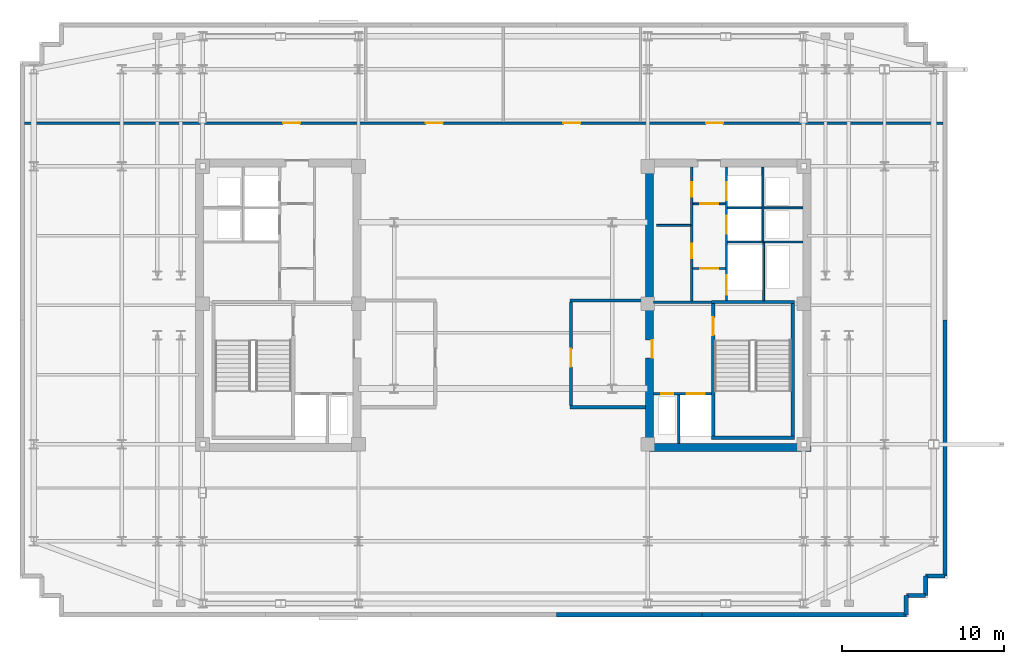
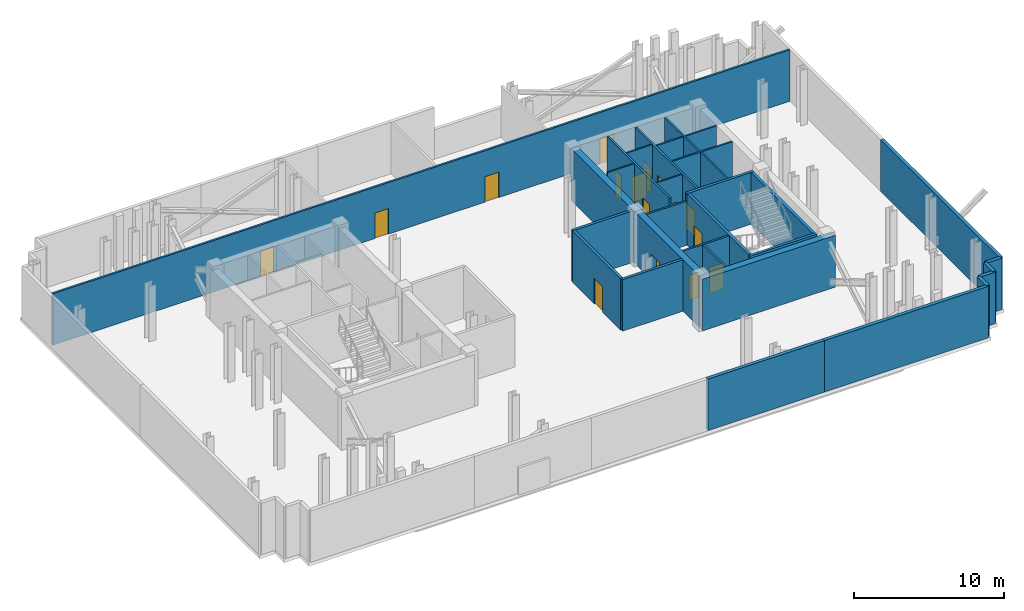
# One storey, part 5 of 8: 30 walls, 16 doors, 16 openings.
"""IFC4 building model written with IfcOpenShell, lengths in metres."""

from ifc_helpers import new_model, si_unit, direction, frame, frame_2d, origin, place, context, subcontext, project, spatial, rectangle, extrude, material, layer, layer_set, type_object, element, fill, save


model = new_model("IFC4")

# Units and contexts
model_context = context("Model", 3, precision=1e-05, world=origin(), true_north=direction((0.0, 1.0)))
body_context = subcontext(model_context, "Body", "Model", "MODEL_VIEW")
ifc_project = project(units=[si_unit("LENGTHUNIT", "METRE"), si_unit("AREAUNIT", "SQUARE_METRE"), si_unit("VOLUMEUNIT", "CUBIC_METRE"), si_unit("PLANEANGLEUNIT", "RADIAN"), si_unit("MASSUNIT", "GRAM", prefix="KILO")], contexts=[model_context])

# Site, building, storey
site_placement = place(None, origin())
site = spatial("IfcSite", under=ifc_project, at=site_placement, CompositionType="ELEMENT")
building_placement = place(site_placement, origin())
building = spatial("IfcBuilding", under=site, at=building_placement, Name="Velakula Bourse", CompositionType="ELEMENT")
storey_placement = place(building_placement, frame((0.0, 0.0, 243.0)))
storey = spatial("IfcBuildingStorey", under=building, at=storey_placement, Name="L66", CompositionType="ELEMENT", Elevation=243.0)

# Wall, opening, door
ifc_material_1 = material(Name="Concrete M50 (fck 50 MPa)", Category="concrete")
ifc_layer_1 = layer(ifc_material_1, 0.2099609375, Name="Concrete M50 (fck 50 MPa)", Category="concrete")
ifc_layer_set_1 = layer_set([ifc_layer_1], Name="Concrete M50 (fck 50 MPa)")
wall_type_1 = type_object("IfcWallType", Name="WL-CORE-210", PredefinedType="SHEAR", material=ifc_layer_set_1)
wall_1_placement = place(storey_placement, frame((12.9951171875, -8.10009765625, 0.0), z_axis=(0.0, 0.0, 1.0), x_axis=(0.0, 1.0, 0.0)))
wall_1 = element("IfcWall", 1, at=wall_1_placement, inside=storey, type_object=wall_type_1, Name="L66 Core E Stairwell Shear Wall IN", PredefinedType="SHEAR", context=body_context, shape_type="SweptSolid", body=[
    extrude(rectangle(XDim=8.2001953125, YDim=0.2099609375, at=frame_2d((4.10009765625, 0.0))), origin(), (0.0, 0.0, 1.0), 4.219970703125),
])
opening_1_placement = place(wall_1_placement, frame((6.25, 0.0, 0.0)))
opening_1 = element("IfcOpeningElement", 2, at=opening_1_placement, cuts=wall_1, Name="Opening D-STE1", PredefinedType="OPENING", context=body_context, shape_type="SweptSolid", body=[
    extrude(rectangle(XDim=1.10009765625, YDim=2.14990234375, at=frame_2d((0.550048828125, 1.074951171875))), frame((0.0, 0.114990234375, 0.0), z_axis=(0.0, -1.0, 0.0), x_axis=(1.0, 0.0, 0.0)), (0.0, 0.0, 1.0), 0.22998046875),
])
ifc_material_2 = material(Name="Galvanised painted hollow steel fire door", Category="steel")
door_type_1 = type_object("IfcDoorType", Name="DR-FD120-1100x2150", OperationType="NOTDEFINED", PredefinedType="DOOR", material=ifc_material_2)
door_1_placement = place(opening_1_placement, origin())
door_1 = element("IfcDoor", 3, at=door_1_placement, inside=storey, type_object=door_type_1, Name="L66 Stair ST-E1 Fire Door", OperationType="SINGLE_SWING_RIGHT", OverallHeight=2.14990234375, OverallWidth=1.10009765625, PredefinedType="DOOR", context=body_context, shape_type="SweptSolid", body=[
    extrude(rectangle(XDim=1.10009765625, YDim=2.14990234375, at=frame_2d((0.550048828125, 1.074951171875))), frame((0.0, 0.02490234375, 0.0), z_axis=(0.0, -1.0, 0.0), x_axis=(1.0, 0.0, 0.0)), (0.0, 0.0, 1.0), 0.050048828125),
])
fill(opening_1, door_1)

# Walls
wall_2_placement = place(storey_placement, frame((17.925048828125, -8.10009765625, 0.0), z_axis=(0.0, 0.0, 1.0), x_axis=(0.0, 1.0, 0.0)))
element("IfcWall", 4, at=wall_2_placement, inside=storey, type_object=wall_type_1, Name="L66 Core E Stairwell Shear Wall OUT", PredefinedType="SHEAR", context=body_context, shape_type="SweptSolid", body=[
    extrude(rectangle(XDim=8.2001953125, YDim=0.2099609375, at=frame_2d((4.10009765625, 0.0))), origin(), (0.0, 0.0, 1.0), 4.219970703125),
])
for number, where, z_axis, x_axis, name in (
    (5, (12.889892578125, -8.205078125, 0.0), (0.0, 0.0, 1.0), (1.0, 0.0, 0.0), "L66 Core E Stairwell Shear Wall S"),
    (6, (18.030029296875, 0.205078125, 0.0), (0.0, 0.0, 1.0), (-1.0, 0.0, 0.0), "L66 Core E Stairwell Shear Wall N"),
):
    element("IfcWall", number, at=place(storey_placement, frame(where, z_axis=z_axis, x_axis=x_axis)), inside=storey, type_object=wall_type_1, Name=name, PredefinedType="SHEAR", context=body_context, shape_type="SweptSolid", body=[
        extrude(rectangle(XDim=5.14013671875, YDim=0.2099609375, at=frame_2d((2.570068359375, 0.0))), origin(), (0.0, 0.0, 1.0), 4.219970703125),
    ])
ifc_layer_2 = layer(ifc_material_1, 0.5, Name="Concrete M50 (fck 50 MPa)", Category="concrete")
ifc_layer_set_2 = layer_set([ifc_layer_2], Name="Concrete M50 (fck 50 MPa)")
wall_type_2 = type_object("IfcWallType", Name="WL-CORE-500", PredefinedType="SHEAR", material=ifc_layer_set_2)
wall_3_placement = place(storey_placement, frame((8.800048828125, -8.800048828125, 0.0), z_axis=(0.0, 0.0, 1.0), x_axis=(1.0, 0.0, 0.0)))
element("IfcWall", 7, at=wall_3_placement, inside=storey, type_object=wall_type_2, Name="L66 Core E Shear Wall S", PredefinedType="SHEAR", context=body_context, shape_type="SweptSolid", body=[
    extrude(rectangle(XDim=10.25, YDim=0.5, at=frame_2d((5.125, 0.0))), origin(), (0.0, 0.0, 1.0), 4.219970703125),
])

# Wall, opening, door
wall_4_placement = place(storey_placement, frame((9.050048828125, -8.550048828125, 0.0), z_axis=(0.0, 0.0, 1.0), x_axis=(0.0, 1.0, 0.0)))
wall_4 = element("IfcWall", 8, at=wall_4_placement, inside=storey, type_object=wall_type_2, Name="L66 Core E Shear Wall W", PredefinedType="SHEAR", context=body_context, shape_type="SweptSolid", body=[
    extrude(rectangle(XDim=17.10009765625, YDim=0.5, at=frame_2d((8.550048828125, 0.0))), origin(), (0.0, 0.0, 1.0), 4.219970703125),
])
opening_2_placement = place(wall_4_placement, frame((5.300048828125, 0.0, 0.0)))
opening_2 = element("IfcOpeningElement", 9, at=opening_2_placement, cuts=wall_4, Name="Opening D-FLE", PredefinedType="OPENING", context=body_context, shape_type="SweptSolid", body=[
    extrude(rectangle(XDim=1.10009765625, YDim=2.080078125, at=frame_2d((0.550048828125, 1.0400390625))), frame((0.0, 0.260009765625, 0.0), z_axis=(0.0, -1.0, 0.0), x_axis=(1.0, 0.0, 0.0)), (0.0, 0.0, 1.0), 0.52001953125),
])
door_type_2 = type_object("IfcDoorType", Name="DR-FD120-1100", OperationType="NOTDEFINED", PredefinedType="DOOR", material=ifc_material_2)
door_2_placement = place(opening_2_placement, origin())
door_2 = element("IfcDoor", 10, at=door_2_placement, inside=storey, type_object=door_type_2, Name="L66 Firefighting Lobby E Corridor Fire Door", OperationType="SINGLE_SWING_RIGHT", OverallHeight=2.080078125, OverallWidth=1.10009765625, PredefinedType="DOOR", context=body_context, shape_type="SweptSolid", body=[
    extrude(rectangle(XDim=1.10009765625, YDim=2.080078125, at=frame_2d((0.550048828125, 1.0400390625))), frame((0.0, -0.15478515625, 0.0), z_axis=(0.0, -1.0, 0.0), x_axis=(1.0, 0.0, 0.0)), (0.0, 0.0, 1.0), 0.050048828125),
])
fill(opening_2, door_2)

# Walls
ifc_material_3 = material(Name="Buff kilned clay facing brick masonry", Category="masonry")
ifc_layer_3 = layer(ifc_material_3, 0.260009765625, Name="Buff kilned clay facing brick masonry", Category="masonry")
ifc_layer_set_3 = layer_set([ifc_layer_3], Name="Buff kilned clay facing brick masonry")
wall_type_3 = type_object("IfcWallType", Name="WL-EXT-BRK-260", PredefinedType="STANDARD", material=ifc_layer_set_3)
wall_5_placement = place(storey_placement, frame((12.300048828125, -19.14990234375, 0.0), z_axis=(0.0, 0.0, 1.0), x_axis=(-1.0, 0.0, 0.0)))
element("IfcWall", 11, at=wall_5_placement, inside=storey, type_object=wall_type_3, Name="L66 S Brick Spandrel Wall B4", PredefinedType="STANDARD", context=body_context, shape_type="SweptSolid", body=[
    extrude(rectangle(XDim=9.0, YDim=0.260009765625, at=frame_2d((4.5, 0.0))), origin(), (0.0, 0.0, 1.0), 4.199951171875),
])
wall_6_placement = place(storey_placement, frame((24.949951171875, -19.14990234375, 0.0), z_axis=(0.0, 0.0, 1.0), x_axis=(-1.0, 0.0, 0.0)))
element("IfcWall", 12, at=wall_6_placement, inside=storey, type_object=wall_type_3, Name="L66 S Brick Spandrel Wall B5", PredefinedType="STANDARD", context=body_context, shape_type="SweptSolid", body=[
    extrude(rectangle(XDim=12.64990234375, YDim=0.260009765625, at=frame_2d((6.324951171875, 0.0))), origin(), (0.0, 0.0, 1.0), 4.199951171875),
])
wall_7_placement = place(storey_placement, frame((27.35009765625, -0.89990234375, 0.0), z_axis=(0.0, 0.0, 1.0), x_axis=(0.0, -1.0, 0.0)))
element("IfcWall", 13, at=wall_7_placement, inside=storey, type_object=wall_type_3, Name="L66 E Brick End Wall W1", PredefinedType="STANDARD", context=body_context, shape_type="SweptSolid", body=[
    extrude(rectangle(XDim=15.85009765625, YDim=0.260009765625, at=frame_2d((7.925048828125, 0.0))), origin(), (0.0, 0.0, 1.0), 4.199951171875),
])
for number, where, z_axis, x_axis, name in (
    (14, (24.949951171875, -19.14990234375, 0.0), (0.0, 0.0, 1.0), (0.0, 1.0, 0.0), "L66 Serrated Corner Brick Wall SE-1"),
    (15, (24.949951171875, -17.949951171875, 0.0), (0.0, 0.0, 1.0), (1.0, 0.0, 0.0), "L66 Serrated Corner Brick Wall SE-2"),
    (16, (26.14990234375, -17.949951171875, 0.0), (0.0, 0.0, 1.0), (0.0, 1.0, 0.0), "L66 Serrated Corner Brick Wall SE-3"),
):
    element("IfcWall", number, at=place(storey_placement, frame(where, z_axis=z_axis, x_axis=x_axis)), inside=storey, type_object=wall_type_3, Name=name, PredefinedType="STANDARD", context=body_context, shape_type="SweptSolid", body=[
        extrude(rectangle(XDim=1.199951171875, YDim=0.260009765625, at=frame_2d((0.60009765625, 0.0))), origin(), (0.0, 0.0, 1.0), 4.199951171875),
    ])
wall_8_placement = place(storey_placement, frame((26.14990234375, -16.75, 0.0), z_axis=(0.0, 0.0, 1.0), x_axis=(1.0, 0.0, 0.0)))
element("IfcWall", 17, at=wall_8_placement, inside=storey, type_object=wall_type_3, Name="L66 Serrated Corner Brick Wall SE-4", PredefinedType="STANDARD", context=body_context, shape_type="SweptSolid", body=[
    extrude(rectangle(XDim=1.2001953125, YDim=0.260009765625, at=frame_2d((0.60009765625, 0.0))), origin(), (0.0, 0.0, 1.0), 4.199951171875),
])

# Wall, opening, door
ifc_material_4 = material(Name="Fire-rated double-layer gypsum drywall partition", Category="gypsum")
ifc_layer_4 = layer(ifc_material_4, 0.1201171875, Name="Fire-rated double-layer gypsum drywall partition", Category="gypsum")
ifc_layer_set_4 = layer_set([ifc_layer_4], Name="Fire-rated double-layer gypsum drywall partition")
wall_type_4 = type_object("IfcWallType", Name="WL-PART-120", PredefinedType="STANDARD", material=ifc_layer_set_4)
wall_9_placement = place(storey_placement, frame((11.75, 2.280029296875, 0.0), z_axis=(0.0, 0.0, 1.0), x_axis=(1.0, 0.0, 0.0)))
wall_9 = element("IfcWall", 18, at=wall_9_placement, inside=storey, type_object=wall_type_4, Name="L66 Interior Partition WL-CRE-L66-LL-K3A", PredefinedType="STANDARD", context=body_context, shape_type="SweptSolid", body=[
    extrude(rectangle(XDim=2.0, YDim=0.1201171875, at=frame_2d((1.0, 0.0))), origin(), (0.0, 0.0, 1.0), 4.199951171875),
])
opening_3_placement = place(wall_9_placement, frame((0.449951171875, 0.0, 0.0)))
opening_3 = element("IfcOpeningElement", 19, at=opening_3_placement, cuts=wall_9, Name="Opening D-LK3", PredefinedType="OPENING", context=body_context, shape_type="SweptSolid", body=[
    extrude(rectangle(XDim=1.10009765625, YDim=2.10009765625, at=frame_2d((0.550048828125, 1.050048828125))), frame((0.0, 0.070068359375, 0.0), z_axis=(0.0, -1.0, 0.0), x_axis=(1.0, 0.0, 0.0)), (0.0, 0.0, 1.0), 0.14013671875),
])
ifc_material_5 = material(Name="Fire-rated hardwood flush architectural door", Category="wood")
door_type_3 = type_object("IfcDoorType", Name="DR-FD60-1100x2100", OperationType="NOTDEFINED", PredefinedType="DOOR", material=ifc_material_5)
door_3_placement = place(opening_3_placement, origin())
door_3 = element("IfcDoor", 20, at=door_3_placement, inside=storey, type_object=door_type_3, Name="L66 Core E Lift Lobby Vestibule Door A", OperationType="SINGLE_SWING_RIGHT", OverallHeight=2.10009765625, OverallWidth=1.10009765625, PredefinedType="DOOR", context=body_context, shape_type="SweptSolid", body=[
    extrude(rectangle(XDim=1.10009765625, YDim=2.10009765625, at=frame_2d((0.550048828125, 1.050048828125))), frame((0.0, 0.02490234375, 0.0), z_axis=(0.0, -1.0, 0.0), x_axis=(1.0, 0.0, 0.0)), (0.0, 0.0, 1.0), 0.050048828125),
])
fill(opening_3, door_3)

wall_10_placement = place(storey_placement, frame((11.75, 6.280029296875, 0.0), z_axis=(0.0, 0.0, 1.0), x_axis=(1.0, 0.0, 0.0)))
wall_10 = element("IfcWall", 21, at=wall_10_placement, inside=storey, type_object=wall_type_4, Name="L66 Interior Partition WL-CRE-L66-LL-K3B", PredefinedType="STANDARD", context=body_context, shape_type="SweptSolid", body=[
    extrude(rectangle(XDim=2.0, YDim=0.1201171875, at=frame_2d((1.0, 0.0))), origin(), (0.0, 0.0, 1.0), 4.199951171875),
])
opening_4_placement = place(wall_10_placement, frame((0.449951171875, 0.0, 0.0)))
opening_4 = element("IfcOpeningElement", 22, at=opening_4_placement, cuts=wall_10, Name="Opening D-LK3", PredefinedType="OPENING", context=body_context, shape_type="SweptSolid", body=[
    extrude(rectangle(XDim=1.10009765625, YDim=2.10009765625, at=frame_2d((0.550048828125, 1.050048828125))), frame((0.0, 0.070068359375, 0.0), z_axis=(0.0, -1.0, 0.0), x_axis=(1.0, 0.0, 0.0)), (0.0, 0.0, 1.0), 0.14013671875),
])
door_4_placement = place(opening_4_placement, origin())
door_4 = element("IfcDoor", 23, at=door_4_placement, inside=storey, type_object=door_type_3, Name="L66 Core E Lift Lobby Vestibule Door B", OperationType="SINGLE_SWING_RIGHT", OverallHeight=2.10009765625, OverallWidth=1.10009765625, PredefinedType="DOOR", context=body_context, shape_type="SweptSolid", body=[
    extrude(rectangle(XDim=1.10009765625, YDim=2.10009765625, at=frame_2d((0.550048828125, 1.050048828125))), frame((0.0, 0.02490234375, 0.0), z_axis=(0.0, -1.0, 0.0), x_axis=(1.0, 0.0, 0.0)), (0.0, 0.0, 1.0), 0.050048828125),
])
fill(opening_4, door_4)

# Walls
wall_11_placement = place(storey_placement, frame((9.5, 4.949951171875, 0.0), z_axis=(0.0, 0.0, 1.0), x_axis=(1.0, 0.0, 0.0)))
element("IfcWall", 24, at=wall_11_placement, inside=storey, type_object=wall_type_4, Name="L66 Interior Partition WL-CRE-L66-RCDIV", PredefinedType="STANDARD", context=body_context, shape_type="SweptSolid", body=[
    extrude(rectangle(XDim=2.10009765625, YDim=0.1201171875, at=frame_2d((1.050048828125, 0.0))), origin(), (0.0, 0.0, 1.0), 4.199951171875),
])
wall_12_placement = place(storey_placement, frame((13.89990234375, 3.919921875, 0.0), z_axis=(0.0, 0.0, 1.0), x_axis=(1.0, 0.0, 0.0)))
element("IfcWall", 25, at=wall_12_placement, inside=storey, type_object=wall_type_4, Name="L66 Interior Partition WL-CRE-L66-HI-S", PredefinedType="STANDARD", context=body_context, shape_type="SweptSolid", body=[
    extrude(rectangle(XDim=4.650146484375, YDim=0.1201171875, at=frame_2d((2.3251953125, 0.0))), origin(), (0.0, 0.0, 1.0), 4.199951171875),
])
wall_13_placement = place(storey_placement, frame((16.14990234375, 6.030029296875, 0.0), z_axis=(0.0, 0.0, 1.0), x_axis=(1.0, 0.0, 0.0)))
element("IfcWall", 26, at=wall_13_placement, inside=storey, type_object=wall_type_4, Name="L66 Interior Partition WL-CRE-L66-RIS-MID", PredefinedType="STANDARD", context=body_context, shape_type="SweptSolid", body=[
    extrude(rectangle(XDim=2.400146484375, YDim=0.1201171875, at=frame_2d((1.2001953125, 0.0))), origin(), (0.0, 0.0, 1.0), 4.199951171875),
])
wall_14_placement = place(storey_placement, frame((16.074951171875, 3.97998046875, 0.0), z_axis=(0.0, 0.0, 1.0), x_axis=(0.0, 1.0, 0.0)))
element("IfcWall", 27, at=wall_14_placement, inside=storey, type_object=wall_type_4, Name="L66 Interior Partition WL-CRE-L66-RIS-F", PredefinedType="STANDARD", context=body_context, shape_type="SweptSolid", body=[
    extrude(rectangle(XDim=4.570068359375, YDim=0.1201171875, at=frame_2d((2.28515625, 0.0))), origin(), (0.0, 0.0, 1.0), 4.199951171875),
])
wall_15_placement = place(storey_placement, frame((13.89990234375, 6.030029296875, 0.0), z_axis=(0.0, 0.0, 1.0), x_axis=(1.0, 0.0, 0.0)))
element("IfcWall", 28, at=wall_15_placement, inside=storey, type_object=wall_type_4, Name="L66 Interior Partition WL-CRE-L66-HI-DIV", PredefinedType="STANDARD", context=body_context, shape_type="SweptSolid", body=[
    extrude(rectangle(XDim=2.10009765625, YDim=0.1201171875, at=frame_2d((1.050048828125, 0.0))), origin(), (0.0, 0.0, 1.0), 4.199951171875),
])
wall_16_placement = place(storey_placement, frame((16.125, 0.27001953125, 0.0), z_axis=(0.0, 0.0, 1.0), x_axis=(0.0, 1.0, 0.0)))
element("IfcWall", 29, at=wall_16_placement, inside=storey, type_object=wall_type_4, Name="L66 Interior Partition WL-CRE-L66-SVL-E", PredefinedType="STANDARD", context=body_context, shape_type="SweptSolid", body=[
    extrude(rectangle(XDim=3.590087890625, YDim=0.1201171875, at=frame_2d((1.794921875, 0.0))), origin(), (0.0, 0.0, 1.0), 4.199951171875),
])

# Wall, openings, doors
ifc_material_6 = material(Name="Autoclaved aerated concrete blockwork masonry", Category="masonry")
ifc_layer_5 = layer(ifc_material_6, 0.14990234375, Name="Autoclaved aerated concrete blockwork masonry", Category="masonry")
ifc_layer_set_5 = layer_set([ifc_layer_5], Name="Autoclaved aerated concrete blockwork masonry")
wall_type_5 = type_object("IfcWallType", Name="WL-SHAFT-150", PredefinedType="STANDARD", material=ifc_layer_set_5)
wall_17_placement = place(storey_placement, frame((9.300048828125, -5.47509765625, 0.0), z_axis=(0.0, 0.0, 1.0), x_axis=(1.0, 0.0, 0.0)))
wall_17 = element("IfcWall", 30, at=wall_17_placement, inside=storey, type_object=wall_type_5, Name="L66 Interior Partition WL-CRE-L66-FFL-N", PredefinedType="STANDARD", context=body_context, shape_type="SweptSolid", body=[
    extrude(rectangle(XDim=3.594970703125, YDim=0.14990234375, at=frame_2d((1.79736328125, 0.0))), origin(), (0.0, 0.0, 1.0), 4.199951171875),
])
opening_5_placement = place(wall_17_placement, frame((2.074951171875, 0.0, 0.0)))
opening_5 = element("IfcOpeningElement", 31, at=opening_5_placement, cuts=wall_17, Name="Opening LD-FFL-2", PredefinedType="OPENING", context=body_context, shape_type="SweptSolid", body=[
    extrude(rectangle(XDim=1.10009765625, YDim=2.14990234375, at=frame_2d((0.550048828125, 1.074951171875))), frame((0.0, 0.0849609375, 0.0), z_axis=(0.0, -1.0, 0.0), x_axis=(1.0, 0.0, 0.0)), (0.0, 0.0, 1.0), 0.169921875),
])
opening_6_placement = place(wall_17_placement, frame((0.47509765625, 0.0, 0.0)))
opening_6 = element("IfcOpeningElement", 32, at=opening_6_placement, cuts=wall_17, Name="Opening D-RS1", PredefinedType="OPENING", context=body_context, shape_type="SweptSolid", body=[
    extrude(rectangle(XDim=0.75, YDim=2.050048828125, at=frame_2d((0.375, 1.02490234375))), frame((0.0, 0.0849609375, 0.0), z_axis=(0.0, -1.0, 0.0), x_axis=(1.0, 0.0, 0.0)), (0.0, 0.0, 1.0), 0.169921875),
])
door_type_4 = type_object("IfcDoorType", Name="DR-RISER-800", OperationType="NOTDEFINED", PredefinedType="DOOR", material=ifc_material_2)
door_5_placement = place(opening_6_placement, origin())
door_5 = element("IfcDoor", 33, at=door_5_placement, inside=storey, type_object=door_type_4, Name="L66 Fire Riser Access Door", OperationType="SINGLE_SWING_LEFT", OverallHeight=2.050048828125, OverallWidth=0.75, PredefinedType="DOOR", context=body_context, shape_type="SweptSolid", body=[
    extrude(rectangle(XDim=0.75, YDim=2.050048828125, at=frame_2d((0.375, 1.02490234375))), frame((0.0, 0.02490234375, 0.0), z_axis=(0.0, -1.0, 0.0), x_axis=(1.0, 0.0, 0.0)), (0.0, 0.0, 1.0), 0.050048828125),
])
fill(opening_6, door_5)
ifc_material_7 = material(Name="Brushed grade 316 stainless steel", Category="steel")
door_type_5 = type_object("IfcDoorType", Name="DR-SLIDE-FFL-1100", OperationType="DOUBLE_DOOR_SLIDING", PredefinedType="DOOR", material=ifc_material_7)
door_6_placement = place(opening_5_placement, origin())
door_6 = element("IfcDoor", 34, at=door_6_placement, inside=storey, type_object=door_type_5, Name="L66 Firefighting Lift FFL-2 Sliding Landing Door", OperationType="DOUBLE_DOOR_SLIDING", OverallHeight=2.14990234375, OverallWidth=1.10009765625, PredefinedType="DOOR", context=body_context, shape_type="SweptSolid", body=[
    extrude(rectangle(XDim=1.10009765625, YDim=2.14990234375, at=frame_2d((0.550048828125, 1.074951171875))), frame((0.0, 0.02490234375, 0.0), z_axis=(0.0, -1.0, 0.0), x_axis=(1.0, 0.0, 0.0)), (0.0, 0.0, 1.0), 0.050048828125),
])
fill(opening_5, door_6)

# Walls
wall_18_placement = place(storey_placement, frame((10.875, -8.550048828125, 0.0), z_axis=(0.0, 0.0, 1.0), x_axis=(0.0, 1.0, 0.0)))
element("IfcWall", 35, at=wall_18_placement, inside=storey, type_object=wall_type_5, Name="L66 Interior Partition WL-CRE-L66-FR-DIV", PredefinedType="STANDARD", context=body_context, shape_type="SweptSolid", body=[
    extrude(rectangle(XDim=3.0, YDim=0.14990234375, at=frame_2d((1.5, 0.0))), origin(), (0.0, 0.0, 1.0), 4.199951171875),
])
wall_19_placement = place(storey_placement, frame((9.300048828125, 0.18994140625, 0.0), z_axis=(0.0, 0.0, 1.0), x_axis=(1.0, 0.0, 0.0)))
element("IfcWall", 36, at=wall_19_placement, inside=storey, type_object=wall_type_5, Name="L66 Interior Partition WL-CRE-L66-FF-TOP", PredefinedType="STANDARD", context=body_context, shape_type="SweptSolid", body=[
    extrude(rectangle(XDim=3.58984375, YDim=0.14990234375, at=frame_2d((1.794921875, 0.0))), origin(), (0.0, 0.0, 1.0), 3.594970703125),
])

# Wall, openings, doors
wall_20_placement = place(storey_placement, frame((11.675048828125, 0.27001953125, 0.0), z_axis=(0.0, 0.0, 1.0), x_axis=(0.0, 1.0, 0.0)))
wall_20 = element("IfcWall", 37, at=wall_20_placement, inside=storey, type_object=wall_type_5, Name="L66 Interior Partition WL-CRE-L66-BANK-F", PredefinedType="STANDARD", context=body_context, shape_type="SweptSolid", body=[
    extrude(rectangle(XDim=8.280029296875, YDim=0.14990234375, at=frame_2d((4.14013671875, 0.0))), origin(), (0.0, 0.0, 1.0), 4.199951171875),
])
opening_7_placement = place(wall_20_placement, frame((2.64990234375, 0.0, 0.0)))
opening_7 = element("IfcOpeningElement", 38, at=opening_7_placement, cuts=wall_20, Name="Opening D-RC2", PredefinedType="OPENING", context=body_context, shape_type="SweptSolid", body=[
    extrude(rectangle(XDim=0.89990234375, YDim=2.050048828125, at=frame_2d((0.449951171875, 1.02490234375))), frame((0.0, 0.0849609375, 0.0), z_axis=(0.0, -1.0, 0.0), x_axis=(1.0, 0.0, 0.0)), (0.0, 0.0, 1.0), 0.169921875),
])
opening_8_placement = place(wall_20_placement, frame((6.449951171875, 0.0, 0.0)))
opening_8 = element("IfcOpeningElement", 39, at=opening_8_placement, cuts=wall_20, Name="Opening D-RC2", PredefinedType="OPENING", context=body_context, shape_type="SweptSolid", body=[
    extrude(rectangle(XDim=0.89990234375, YDim=2.050048828125, at=frame_2d((0.449951171875, 1.02490234375))), frame((0.0, 0.0849609375, 0.0), z_axis=(0.0, -1.0, 0.0), x_axis=(1.0, 0.0, 0.0)), (0.0, 0.0, 1.0), 0.169921875),
])
door_type_6 = type_object("IfcDoorType", Name="DR-FD60-900", OperationType="NOTDEFINED", PredefinedType="DOOR", material=ifc_material_5)
door_7_placement = place(opening_7_placement, origin())
door_7 = element("IfcDoor", 40, at=door_7_placement, inside=storey, type_object=door_type_6, Name="L66 Reclaimed Vault Room Door", OperationType="SINGLE_SWING_LEFT", OverallHeight=2.050048828125, OverallWidth=0.89990234375, PredefinedType="DOOR", context=body_context, shape_type="SweptSolid", body=[
    extrude(rectangle(XDim=0.89990234375, YDim=2.050048828125, at=frame_2d((0.449951171875, 1.02490234375))), frame((0.0, 0.02490234375, 0.0), z_axis=(0.0, -1.0, 0.0), x_axis=(1.0, 0.0, 0.0)), (0.0, 0.0, 1.0), 0.050048828125),
])
fill(opening_7, door_7)
door_8_placement = place(opening_8_placement, origin())
door_8 = element("IfcDoor", 41, at=door_8_placement, inside=storey, type_object=door_type_6, Name="L66 Reclaimed Depository Store Door", OperationType="SINGLE_SWING_RIGHT", OverallHeight=2.050048828125, OverallWidth=0.89990234375, PredefinedType="DOOR", context=body_context, shape_type="SweptSolid", body=[
    extrude(rectangle(XDim=0.89990234375, YDim=2.050048828125, at=frame_2d((0.449951171875, 1.02490234375))), frame((0.0, 0.02490234375, 0.0), z_axis=(0.0, -1.0, 0.0), x_axis=(1.0, 0.0, 0.0)), (0.0, 0.0, 1.0), 0.050048828125),
])
fill(opening_8, door_8)

wall_21_placement = place(storey_placement, frame((13.824951171875, 0.27001953125, 0.0), z_axis=(0.0, 0.0, 1.0), x_axis=(0.0, 1.0, 0.0)))
wall_21 = element("IfcWall", 42, at=wall_21_placement, inside=storey, type_object=wall_type_5, Name="L66 Interior Partition WL-CRE-L66-OUT-F", PredefinedType="STANDARD", context=body_context, shape_type="SweptSolid", body=[
    extrude(rectangle(XDim=8.280029296875, YDim=0.14990234375, at=frame_2d((4.14013671875, 0.0))), origin(), (0.0, 0.0, 1.0), 4.199951171875),
])
opening_9_placement = place(wall_21_placement, frame((4.175048828125, 0.0, 0.0)))
opening_9 = element("IfcOpeningElement", 43, at=opening_9_placement, cuts=wall_21, Name="Opening LD-P11", PredefinedType="OPENING", context=body_context, shape_type="SweptSolid", body=[
    extrude(rectangle(XDim=1.10009765625, YDim=2.10009765625, at=frame_2d((0.550048828125, 1.050048828125))), frame((0.0, 0.0849609375, 0.0), z_axis=(0.0, -1.0, 0.0), x_axis=(1.0, 0.0, 0.0)), (0.0, 0.0, 1.0), 0.169921875),
])
opening_10_placement = place(wall_21_placement, frame((6.2451171875, 0.0, 0.0)))
opening_10 = element("IfcOpeningElement", 44, at=opening_10_placement, cuts=wall_21, Name="Opening LD-P12", PredefinedType="OPENING", context=body_context, shape_type="SweptSolid", body=[
    extrude(rectangle(XDim=1.10009765625, YDim=2.10009765625, at=frame_2d((0.550048828125, 1.050048828125))), frame((0.0, 0.0849609375, 0.0), z_axis=(0.0, -1.0, 0.0), x_axis=(1.0, 0.0, 0.0)), (0.0, 0.0, 1.0), 0.169921875),
])
opening_11_placement = place(wall_21_placement, frame((0.3798828125, 0.0, 0.0)))
opening_11 = element("IfcOpeningElement", 45, at=opening_11_placement, cuts=wall_21, Name="Opening LD-SVL1", PredefinedType="OPENING", context=body_context, shape_type="SweptSolid", body=[
    extrude(rectangle(XDim=1.199951171875, YDim=2.10009765625, at=frame_2d((0.60009765625, 1.050048828125))), frame((0.0, 0.0849609375, 0.0), z_axis=(0.0, -1.0, 0.0), x_axis=(1.0, 0.0, 0.0)), (0.0, 0.0, 1.0), 0.169921875),
])
door_type_7 = type_object("IfcDoorType", Name="DR-SLIDE-LD-1100", OperationType="DOUBLE_DOOR_SLIDING", PredefinedType="DOOR", material=ifc_material_7)
door_9_placement = place(opening_9_placement, origin())
door_9 = element("IfcDoor", 46, at=door_9_placement, inside=storey, type_object=door_type_7, Name="L66 Passenger Lift P11 Sliding Landing Door", OperationType="DOUBLE_DOOR_SLIDING", OverallHeight=2.10009765625, OverallWidth=1.10009765625, PredefinedType="DOOR", context=body_context, shape_type="SweptSolid", body=[
    extrude(rectangle(XDim=1.10009765625, YDim=2.10009765625, at=frame_2d((0.550048828125, 1.050048828125))), frame((0.0, 0.02490234375, 0.0), z_axis=(0.0, -1.0, 0.0), x_axis=(1.0, 0.0, 0.0)), (0.0, 0.0, 1.0), 0.050048828125),
])
fill(opening_9, door_9)
door_10_placement = place(opening_10_placement, origin())
door_10 = element("IfcDoor", 47, at=door_10_placement, inside=storey, type_object=door_type_7, Name="L66 Passenger Lift P12 Sliding Landing Door", OperationType="DOUBLE_DOOR_SLIDING", OverallHeight=2.10009765625, OverallWidth=1.10009765625, PredefinedType="DOOR", context=body_context, shape_type="SweptSolid", body=[
    extrude(rectangle(XDim=1.10009765625, YDim=2.10009765625, at=frame_2d((0.550048828125, 1.050048828125))), frame((0.0, 0.02490234375, 0.0), z_axis=(0.0, -1.0, 0.0), x_axis=(1.0, 0.0, 0.0)), (0.0, 0.0, 1.0), 0.050048828125),
])
fill(opening_10, door_10)
door_type_8 = type_object("IfcDoorType", Name="DR-SLIDE-LD-1200", OperationType="DOUBLE_DOOR_SLIDING", PredefinedType="DOOR", material=ifc_material_7)
door_11_placement = place(opening_11_placement, origin())
door_11 = element("IfcDoor", 48, at=door_11_placement, inside=storey, type_object=door_type_8, Name="L66 Service Lift SVL-1 Sliding Landing Door", OperationType="DOUBLE_DOOR_SLIDING", OverallHeight=2.10009765625, OverallWidth=1.199951171875, PredefinedType="DOOR", context=body_context, shape_type="SweptSolid", body=[
    extrude(rectangle(XDim=1.199951171875, YDim=2.10009765625, at=frame_2d((0.60009765625, 1.050048828125))), frame((0.0, 0.02490234375, 0.0), z_axis=(0.0, -1.0, 0.0), x_axis=(1.0, 0.0, 0.0)), (0.0, 0.0, 1.0), 0.050048828125),
])
fill(opening_11, door_11)

wall_22_placement = place(storey_placement, frame((-29.6201171875, 11.280029296875, 0.0), z_axis=(0.0, 0.0, 1.0), x_axis=(1.0, 0.0, 0.0)))
wall_22 = element("IfcWall", 49, at=wall_22_placement, inside=storey, type_object=wall_type_5, Name="L66 Interior Partition WL-PLT-L66-NC", PredefinedType="STANDARD", context=body_context, shape_type="SweptSolid", body=[
    extrude(rectangle(XDim=56.840087890625, YDim=0.14990234375, at=frame_2d((28.419921875, 0.0))), origin(), (0.0, 0.0, 1.0), 4.199951171875),
])
opening_12_placement = place(wall_22_placement, frame((16.0048828125, 0.0, 0.0)))
opening_12 = element("IfcOpeningElement", 50, at=opening_12_placement, cuts=wall_22, Name="Opening D-PL1", PredefinedType="OPENING", context=body_context, shape_type="SweptSolid", body=[
    extrude(rectangle(XDim=1.050048828125, YDim=2.080078125, at=frame_2d((0.52490234375, 1.0400390625))), frame((0.0, 0.0849609375, 0.0), z_axis=(0.0, -1.0, 0.0), x_axis=(1.0, 0.0, 0.0)), (0.0, 0.0, 1.0), 0.169921875),
])
opening_13_placement = place(wall_22_placement, frame((24.844970703125, 0.0, 0.0)))
opening_13 = element("IfcOpeningElement", 51, at=opening_13_placement, cuts=wall_22, Name="Opening D-PL1", PredefinedType="OPENING", context=body_context, shape_type="SweptSolid", body=[
    extrude(rectangle(XDim=1.050048828125, YDim=2.080078125, at=frame_2d((0.52490234375, 1.0400390625))), frame((0.0, 0.0849609375, 0.0), z_axis=(0.0, -1.0, 0.0), x_axis=(1.0, 0.0, 0.0)), (0.0, 0.0, 1.0), 0.169921875),
])
opening_14_placement = place(wall_22_placement, frame((33.344970703125, 0.0, 0.0)))
opening_14 = element("IfcOpeningElement", 52, at=opening_14_placement, cuts=wall_22, Name="Opening D-PL1", PredefinedType="OPENING", context=body_context, shape_type="SweptSolid", body=[
    extrude(rectangle(XDim=1.050048828125, YDim=2.080078125, at=frame_2d((0.52490234375, 1.0400390625))), frame((0.0, 0.0849609375, 0.0), z_axis=(0.0, -1.0, 0.0), x_axis=(1.0, 0.0, 0.0)), (0.0, 0.0, 1.0), 0.169921875),
])
opening_15_placement = place(wall_22_placement, frame((42.18505859375, 0.0, 0.0)))
opening_15 = element("IfcOpeningElement", 53, at=opening_15_placement, cuts=wall_22, Name="Opening D-PL1", PredefinedType="OPENING", context=body_context, shape_type="SweptSolid", body=[
    extrude(rectangle(XDim=1.050048828125, YDim=2.080078125, at=frame_2d((0.52490234375, 1.0400390625))), frame((0.0, 0.0849609375, 0.0), z_axis=(0.0, -1.0, 0.0), x_axis=(1.0, 0.0, 0.0)), (0.0, 0.0, 1.0), 0.169921875),
])
door_type_9 = type_object("IfcDoorType", Name="DR-FD120-1050x2080", OperationType="NOTDEFINED", PredefinedType="DOOR", material=ifc_material_2)
door_12_placement = place(opening_12_placement, origin())
door_12 = element("IfcDoor", 54, at=door_12_placement, inside=storey, type_object=door_type_9, Name="L66 Plate Heat-Exchanger Chiller Plant Room Door", OperationType="SINGLE_SWING_LEFT", OverallHeight=2.080078125, OverallWidth=1.050048828125, PredefinedType="DOOR", context=body_context, shape_type="SweptSolid", body=[
    extrude(rectangle(XDim=1.050048828125, YDim=2.080078125, at=frame_2d((0.52490234375, 1.0400390625))), frame((0.0, 0.02490234375, 0.0), z_axis=(0.0, -1.0, 0.0), x_axis=(1.0, 0.0, 0.0)), (0.0, 0.0, 1.0), 0.050048828125),
])
fill(opening_12, door_12)
door_13_placement = place(opening_13_placement, origin())
door_13 = element("IfcDoor", 55, at=door_13_placement, inside=storey, type_object=door_type_9, Name="L66 Air Handling Unit Mechanical Room Door", OperationType="SINGLE_SWING_RIGHT", OverallHeight=2.080078125, OverallWidth=1.050048828125, PredefinedType="DOOR", context=body_context, shape_type="SweptSolid", body=[
    extrude(rectangle(XDim=1.050048828125, YDim=2.080078125, at=frame_2d((0.52490234375, 1.0400390625))), frame((0.0, 0.02490234375, 0.0), z_axis=(0.0, -1.0, 0.0), x_axis=(1.0, 0.0, 0.0)), (0.0, 0.0, 1.0), 0.050048828125),
])
fill(opening_13, door_13)
door_14_placement = place(opening_14_placement, origin())
door_14 = element("IfcDoor", 56, at=door_14_placement, inside=storey, type_object=door_type_9, Name="L66 High-Voltage Transformer Switchroom Door", OperationType="SINGLE_SWING_LEFT", OverallHeight=2.080078125, OverallWidth=1.050048828125, PredefinedType="DOOR", context=body_context, shape_type="SweptSolid", body=[
    extrude(rectangle(XDim=1.050048828125, YDim=2.080078125, at=frame_2d((0.52490234375, 1.0400390625))), frame((0.0, 0.02490234375, 0.0), z_axis=(0.0, -1.0, 0.0), x_axis=(1.0, 0.0, 0.0)), (0.0, 0.0, 1.0), 0.050048828125),
])
fill(opening_14, door_14)
door_15_placement = place(opening_15_placement, origin())
door_15 = element("IfcDoor", 57, at=door_15_placement, inside=storey, type_object=door_type_9, Name="L66 Fire Break-Tank and Booster Pump Plant Room Door", OperationType="SINGLE_SWING_RIGHT", OverallHeight=2.080078125, OverallWidth=1.050048828125, PredefinedType="DOOR", context=body_context, shape_type="SweptSolid", body=[
    extrude(rectangle(XDim=1.050048828125, YDim=2.080078125, at=frame_2d((0.52490234375, 1.0400390625))), frame((0.0, 0.02490234375, 0.0), z_axis=(0.0, -1.0, 0.0), x_axis=(1.0, 0.0, 0.0)), (0.0, 0.0, 1.0), 0.050048828125),
])
fill(opening_15, door_15)

# Wall, opening, door
ifc_layer_6 = layer(ifc_material_6, 0.199951171875, Name="Autoclaved aerated concrete blockwork masonry", Category="masonry")
ifc_layer_set_6 = layer_set([ifc_layer_6], Name="Autoclaved aerated concrete blockwork masonry")
wall_type_6 = type_object("IfcWallType", Name="WL-SHAFT-200", PredefinedType="STANDARD", material=ifc_layer_set_6)
wall_23_placement = place(storey_placement, frame((4.199951171875, -6.199951171875, 0.0), z_axis=(0.0, 0.0, 1.0), x_axis=(0.0, 1.0, 0.0)))
wall_23 = element("IfcWall", 58, at=wall_23_placement, inside=storey, type_object=wall_type_6, Name="L66 Interior Partition WL-REF-L66-E", PredefinedType="STANDARD", context=body_context, shape_type="SweptSolid", body=[
    extrude(rectangle(XDim=6.39990234375, YDim=0.199951171875, at=frame_2d((3.199951171875, 0.0))), origin(), (0.0, 0.0, 1.0), 4.199951171875),
])
opening_16_placement = place(wall_23_placement, frame((2.39990234375, 0.0, 0.0)))
opening_16 = element("IfcOpeningElement", 59, at=opening_16_placement, cuts=wall_23, Name="Opening D-RF1", PredefinedType="OPENING", context=body_context, shape_type="SweptSolid", body=[
    extrude(rectangle(XDim=1.10009765625, YDim=2.080078125, at=frame_2d((0.550048828125, 1.0400390625))), frame((0.0, 0.10986328125, 0.0), z_axis=(0.0, -1.0, 0.0), x_axis=(1.0, 0.0, 0.0)), (0.0, 0.0, 1.0), 0.219970703125),
])
door_16_placement = place(opening_16_placement, origin())
door_16 = element("IfcDoor", 60, at=door_16_placement, inside=storey, type_object=door_type_2, Name="L66 East Refuge Area Fire Door", OperationType="SINGLE_SWING_RIGHT", OverallHeight=2.080078125, OverallWidth=1.10009765625, PredefinedType="DOOR", context=body_context, shape_type="SweptSolid", body=[
    extrude(rectangle(XDim=1.10009765625, YDim=2.080078125, at=frame_2d((0.550048828125, 1.0400390625))), frame((0.0, 0.02490234375, 0.0), z_axis=(0.0, -1.0, 0.0), x_axis=(1.0, 0.0, 0.0)), (0.0, 0.0, 1.0), 0.050048828125),
])
fill(opening_16, door_16)

# Walls
for number, where, z_axis, x_axis, name in (
    (61, (4.14990234375, -6.300048828125, 0.0), (0.0, 0.0, 1.0), (1.0, 0.0, 0.0), "L66 Interior Partition WL-REF-L66-E-S"),
    (62, (4.14990234375, 0.300048828125, 0.0), (0.0, 0.0, 1.0), (1.0, 0.0, 0.0), "L66 Interior Partition WL-REF-L66-E-N"),
):
    element("IfcWall", number, at=place(storey_placement, frame(where, z_axis=z_axis, x_axis=x_axis)), inside=storey, type_object=wall_type_6, Name=name, PredefinedType="STANDARD", context=body_context, shape_type="SweptSolid", body=[
        extrude(rectangle(XDim=4.650146484375, YDim=0.199951171875, at=frame_2d((2.3251953125, 0.0))), origin(), (0.0, 0.0, 1.0), 4.199951171875),
    ])

save(model, "model.ifc")
